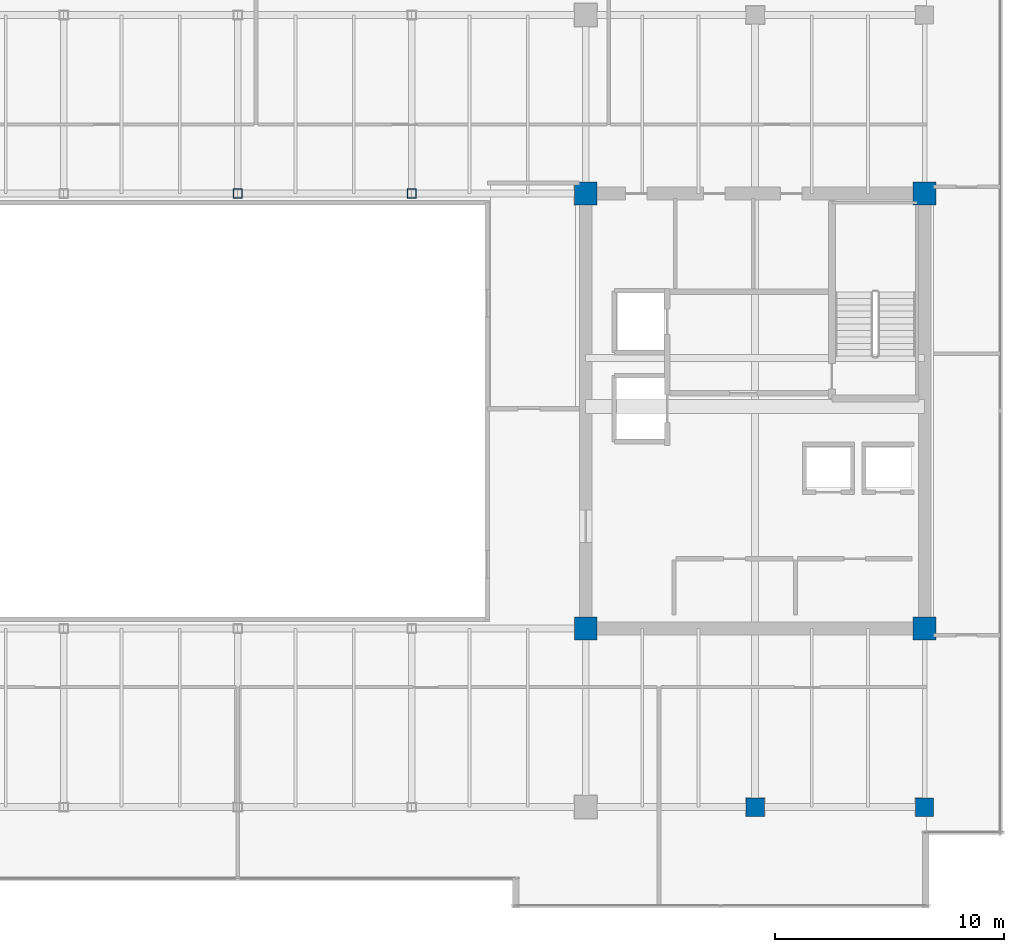
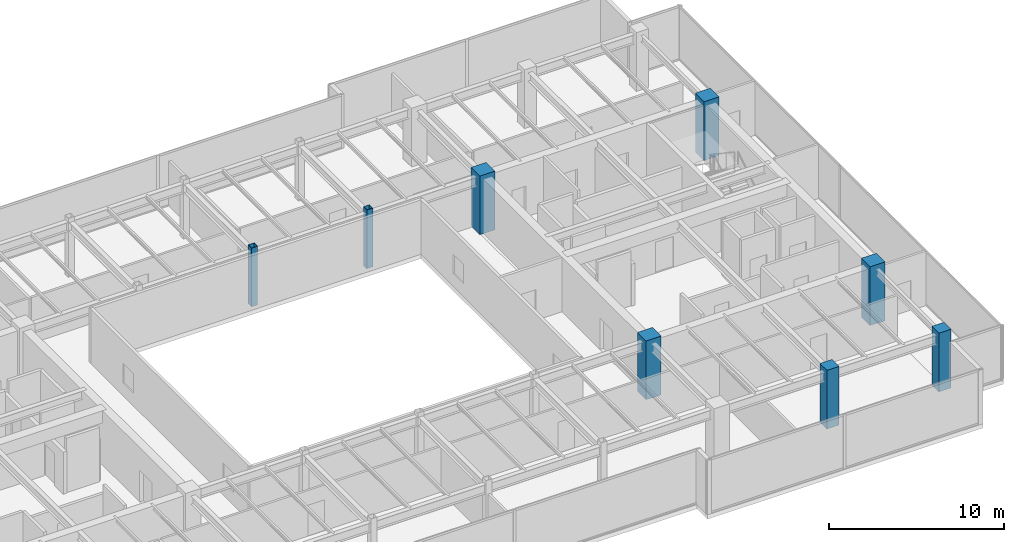
# One storey, part 2 of 36: 8 columns.
"""IFC4 building model written with IfcOpenShell, lengths in metres."""

from ifc_helpers import new_model, si_unit, direction, frame, origin, origin_2d, place, context, subcontext, project, spatial, rectangle, hollow_rectangle, extrude, source, transform, mapped, material, material_profile, profile_set, type_object, type_shapes, element, save


model = new_model("IFC4")

# Units and contexts
model_context = context("Model", 3, precision=1e-05, world=origin(), true_north=direction((0.0, 1.0)))
body_context = subcontext(model_context, "Body", "Model", "MODEL_VIEW")
ifc_project = project(units=[si_unit("LENGTHUNIT", "METRE"), si_unit("AREAUNIT", "SQUARE_METRE"), si_unit("VOLUMEUNIT", "CUBIC_METRE"), si_unit("PLANEANGLEUNIT", "RADIAN"), si_unit("MASSUNIT", "GRAM", prefix="KILO")], contexts=[model_context])

# Site, building, storey
site_placement = place(None, origin())
site = spatial("IfcSite", under=ifc_project, at=site_placement, CompositionType="ELEMENT")
building_placement = place(site_placement, origin())
building = spatial("IfcBuilding", under=site, at=building_placement, Name="Haelvirn Gate Laboratories", CompositionType="ELEMENT")
storey_placement = place(building_placement, frame((0.0, 0.0, 254.699951171875)))
storey = spatial("IfcBuildingStorey", under=building, at=storey_placement, Name="L61", CompositionType="ELEMENT", Elevation=254.699951171875)

# Columns
ifc_material_1 = material(Name="Concrete C60/75", Category="concrete")
ifc_material_profile_1 = material_profile(ifc_material_1, rectangle(XDim=1.0, YDim=1.0, at=origin_2d()), Name="RC-1000x1000")
ifc_profile_set_1 = profile_set([ifc_material_profile_1], Name="Concrete C60/75")
column_type_1 = type_object("IfcColumnType", Name="COL-RC-1000", PredefinedType="COLUMN", material=ifc_profile_set_1)
shared_shape_1 = source(origin(), body_context, "Body", "SweptSolid", [
    extrude(rectangle(XDim=1.0, YDim=1.0, at=origin_2d()), origin(), (0.0, 0.0, 1.0), 4.10009765625),
])
type_shapes(column_type_1, [shared_shape_1])
for number, where, z_axis, x_axis, name in (
    (1, (52.60009765625, 14.800048828125, 0.0), (0.0, 0.0, 1.0), (1.0, 0.0, 0.0), "L61 Column 8C"),
    (2, (67.39990234375, 14.800048828125, 0.0), (0.0, 0.0, 1.0), (1.0, 0.0, 0.0), "L61 Column 10C"),
    (3, (52.60009765625, 33.800048828125, 0.0), (0.0, 0.0, 1.0), (1.0, 0.0, 0.0), "L61 Column 8F"),
    (4, (67.39990234375, 33.800048828125, 0.0), (0.0, 0.0, 1.0), (1.0, 0.0, 0.0), "L61 Column 10F"),
):
    element("IfcColumn", number, at=place(storey_placement, frame(where, z_axis=z_axis, x_axis=x_axis)), inside=storey, type_object=column_type_1, Name=name, PredefinedType="COLUMN", context=body_context, shape_type="MappedRepresentation", body=[
        mapped(shared_shape_1, transform((0.0, 0.0, 0.0), scale=1.0)),
    ])
ifc_material_2 = material(Name="Concrete C50/60", Category="concrete")
ifc_material_profile_2 = material_profile(ifc_material_2, rectangle(XDim=0.800048828125, YDim=0.800048828125, at=origin_2d()), Name="RC-800x800")
ifc_profile_set_2 = profile_set([ifc_material_profile_2], Name="Concrete C50/60")
column_type_2 = type_object("IfcColumnType", Name="COL-RC-800", PredefinedType="COLUMN", material=ifc_profile_set_2)
shared_shape_2 = source(origin(), body_context, "Body", "SweptSolid", [
    extrude(rectangle(XDim=0.800048828125, YDim=0.800048828125, at=origin_2d()), origin(), (0.0, 0.0, 1.0), 4.10009765625),
])
type_shapes(column_type_2, [shared_shape_2])
for number, where, z_axis, x_axis, name in (
    (5, (60.0, 7.0, 0.0), (0.0, 0.0, 1.0), (1.0, 0.0, 0.0), "L61 Column 9B"),
    (6, (67.39990234375, 7.0, 0.0), (0.0, 0.0, 1.0), (1.0, 0.0, 0.0), "L61 Column 10B"),
):
    element("IfcColumn", number, at=place(storey_placement, frame(where, z_axis=z_axis, x_axis=x_axis)), inside=storey, type_object=column_type_2, Name=name, PredefinedType="COLUMN", context=body_context, shape_type="MappedRepresentation", body=[
        mapped(shared_shape_2, transform((0.0, 0.0, 0.0), scale=1.0)),
    ])
ifc_material_3 = material(Name="Steel SM355", Category="steel")
ifc_material_profile_3 = material_profile(ifc_material_3, hollow_rectangle(XDim=0.39990234375, YDim=0.39990234375, WallThickness=0.01904296875, at=origin_2d()), Name="BOX-400x400x19")
ifc_profile_set_3 = profile_set([ifc_material_profile_3], Name="Steel SM355")
column_type_3 = type_object("IfcColumnType", Name="COL-BOX-400", PredefinedType="COLUMN", material=ifc_profile_set_3)
shared_shape_3 = source(origin(), body_context, "Body", "SweptSolid", [
    extrude(hollow_rectangle(XDim=0.39990234375, YDim=0.39990234375, WallThickness=0.01904296875, at=origin_2d()), origin(), (0.0, 0.0, 1.0), 4.10009765625),
])
type_shapes(column_type_3, [shared_shape_3])
for number, where, z_axis, x_axis, name in (
    (7, (37.39990234375, 33.800048828125, 0.0), (0.0, 0.0, 1.0), (1.0, 0.0, 0.0), "L61 Column 6F"),
    (8, (45.0, 33.800048828125, 0.0), (0.0, 0.0, 1.0), (1.0, 0.0, 0.0), "L61 Column 7F"),
):
    element("IfcColumn", number, at=place(storey_placement, frame(where, z_axis=z_axis, x_axis=x_axis)), inside=storey, type_object=column_type_3, Name=name, PredefinedType="COLUMN", context=body_context, shape_type="MappedRepresentation", body=[
        mapped(shared_shape_3, transform((0.0, 0.0, 0.0), scale=1.0)),
    ])

save(model, "model.ifc")
